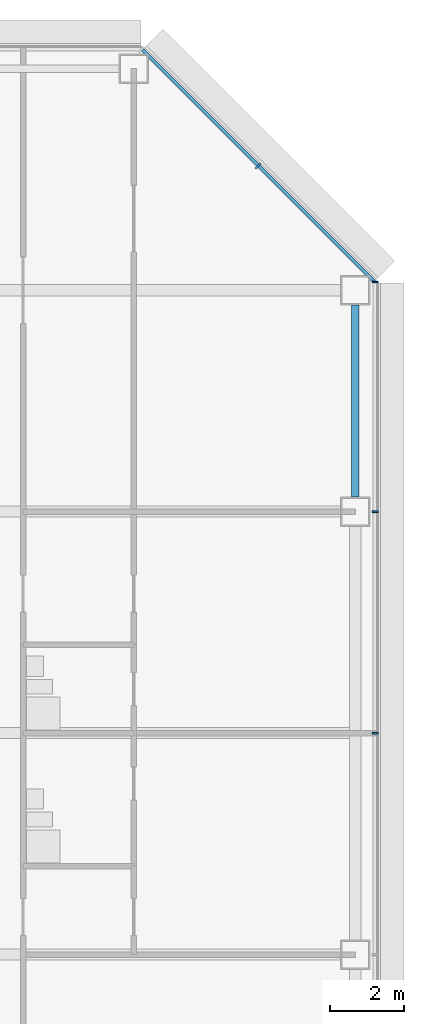
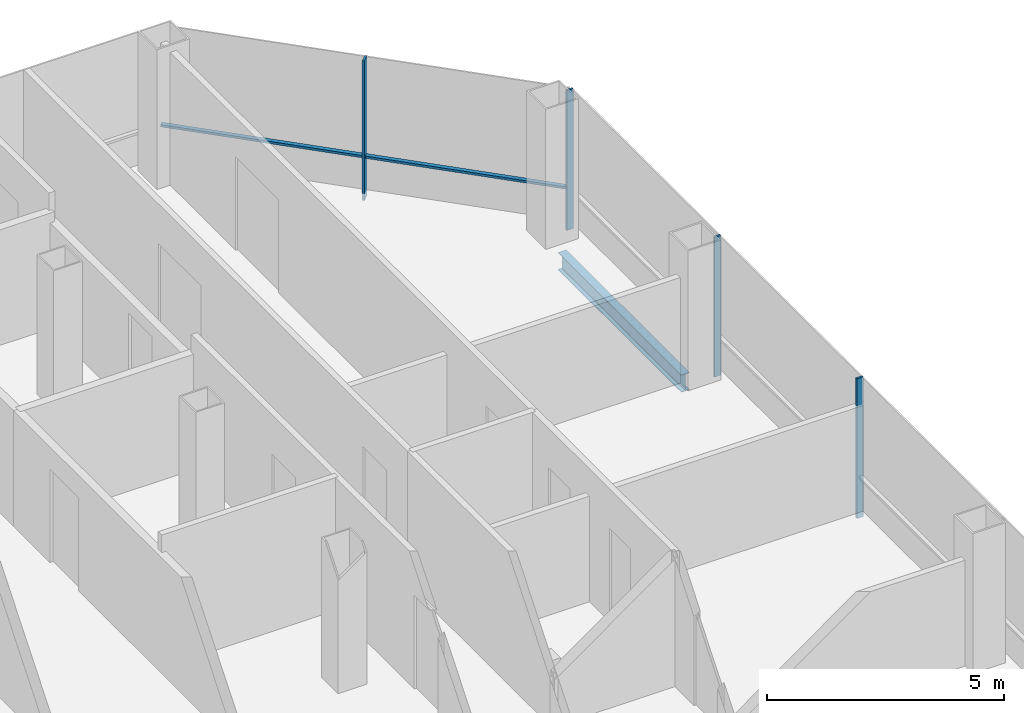
# One storey, part 17 of 25: 5 members, 1 beam, 2 elements without a shape of their own.
"""IFC4 building model written with IfcOpenShell, lengths in metres."""

from ifc_helpers import new_model, si_unit, direction, frame, origin, origin_2d, place, context, subcontext, project, spatial, rectangle, i_section, extrude, material, material_profile, profile_set, type_object, element, aggregate, save


model = new_model("IFC4")

# Units and contexts
model_context = context("Model", 3, precision=1e-05, world=origin(), true_north=direction((0.0, 1.0)))
body_context = subcontext(model_context, "Body", "Model", "MODEL_VIEW")
ifc_project = project(units=[si_unit("LENGTHUNIT", "METRE"), si_unit("AREAUNIT", "SQUARE_METRE"), si_unit("VOLUMEUNIT", "CUBIC_METRE"), si_unit("PLANEANGLEUNIT", "RADIAN"), si_unit("MASSUNIT", "GRAM", prefix="KILO")], contexts=[model_context])

# Site, building, storey
site_placement = place(None, origin())
site = spatial("IfcSite", under=ifc_project, at=site_placement, CompositionType="ELEMENT")
building_placement = place(site_placement, origin())
building = spatial("IfcBuilding", under=site, at=building_placement, Name="Sorahane Residences", CompositionType="ELEMENT")
storey_placement = place(building_placement, frame((0.0, 0.0, 107.0)))
storey = spatial("IfcBuildingStorey", under=building, at=storey_placement, Name="L23", CompositionType="ELEMENT", Elevation=107.0)

# Curtain wall, members
ifc_material_1 = material(Name="Dark low-e glass and black anodised aluminium", Category="aluminium")
curtain_wall_type_1 = type_object("IfcCurtainWallType", Name="Curtain wall CW-1 Typical unitised wall", PredefinedType="NOTDEFINED", material=ifc_material_1)
curtain_wall_1_placement = place(storey_placement, origin())
curtain_wall_1 = element("IfcCurtainWall", 1, at=curtain_wall_1_placement, inside=storey, type_object=curtain_wall_type_1, Name="CW-1 curtain wall L23 E1", PredefinedType="NOTDEFINED")
ifc_material_2 = material(Name="Black anodised aluminium", Category="aluminium")
ifc_material_profile_1 = material_profile(ifc_material_2, rectangle(XDim=0.159912109375, YDim=0.050048828125, at=origin_2d()), Name="Curtain wall mullion CW-1 black anodised aluminium 50x160")
ifc_profile_set_1 = profile_set([ifc_material_profile_1], Name="Black anodised aluminium")
member_type_1 = type_object("IfcMemberType", Name="Curtain wall mullion CW-1 black anodised aluminium 50x160", PredefinedType="MULLION", material=ifc_profile_set_1)
member_1_placement = place(storey_placement, frame((60.5400390625, 30.0, -0.179931640625), z_axis=(0.0, 0.0, 1.0), x_axis=(1.0, 0.0, 0.0)))
member_1 = element("IfcMember", 2, at=member_1_placement, type_object=member_type_1, Name="CW-1 mullion L23 E1.5", PredefinedType="MULLION", context=body_context, shape_type="SweptSolid", body=[
    extrude(rectangle(XDim=0.159912109375, YDim=0.050048828125, at=origin_2d()), origin(), (0.0, 0.0, 1.0), 3.599853515625),
])
member_2_placement = place(storey_placement, frame((60.5400390625, 36.0, -0.179931640625), z_axis=(0.0, 0.0, 1.0), x_axis=(1.0, 0.0, 0.0)))
member_2 = element("IfcMember", 3, at=member_2_placement, type_object=member_type_1, Name="CW-1 mullion L23 E1.6", PredefinedType="MULLION", context=body_context, shape_type="SweptSolid", body=[
    extrude(rectangle(XDim=0.159912109375, YDim=0.050048828125, at=origin_2d()), origin(), (0.0, 0.0, 1.0), 3.599853515625),
])
member_3_placement = place(storey_placement, frame((60.5400390625, 42.2236328125, -0.179931640625), z_axis=(0.0, 0.0, 1.0), x_axis=(1.0, 0.0, 0.0)))
member_3 = element("IfcMember", 4, at=member_3_placement, type_object=member_type_1, Name="CW-1 mullion L23 E1.7", PredefinedType="MULLION", context=body_context, shape_type="SweptSolid", body=[
    extrude(rectangle(XDim=0.159912109375, YDim=0.050048828125, at=origin_2d()), origin(), (0.0, 0.0, 1.0), 3.599853515625),
])
aggregate(curtain_wall_1, [member_1, member_2, member_3])

ifc_material_3 = material(Name="Dark low-e glass and black anodised aluminium", Category="aluminium")
curtain_wall_type_2 = type_object("IfcCurtainWallType", Name="Curtain wall CW-2 Chamfer unitised wall", PredefinedType="NOTDEFINED", material=ifc_material_3)
curtain_wall_2_placement = place(storey_placement, origin())
curtain_wall_2 = element("IfcCurtainWall", 5, at=curtain_wall_2_placement, inside=storey, type_object=curtain_wall_type_2, Name="CW-2 curtain wall L23 NE1", PredefinedType="NOTDEFINED")
ifc_material_4 = material(Name="Black anodised aluminium", Category="aluminium")
ifc_material_profile_2 = material_profile(ifc_material_4, rectangle(XDim=0.199951171875, YDim=0.050048828125, at=origin_2d()), Name="Curtain wall mullion CW-2 black anodised aluminium 50x200")
ifc_profile_set_2 = profile_set([ifc_material_profile_2], Name="Black anodised aluminium")
member_type_2 = type_object("IfcMemberType", Name="Curtain wall mullion CW-2 black anodised aluminium 50x200", PredefinedType="MULLION", material=ifc_profile_set_2)
member_4_placement = place(storey_placement, frame((57.36767578125, 45.36767578125, -0.179931640625), z_axis=(0.0, 0.0, 1.0), x_axis=(0.707106781187, 0.707106781187, 0.0)))
member_4 = element("IfcMember", 6, at=member_4_placement, type_object=member_type_2, Name="CW-2 mullion L23 NE1.2", PredefinedType="MULLION", context=body_context, shape_type="SweptSolid", body=[
    extrude(rectangle(XDim=0.199951171875, YDim=0.050048828125, at=origin_2d()), origin(), (0.0, 0.0, 1.0), 3.599853515625),
])
ifc_material_5 = material(Name="Black anodised aluminium", Category="aluminium")
ifc_material_profile_3 = material_profile(ifc_material_5, rectangle(XDim=0.10009765625, YDim=0.06005859375, at=origin_2d()), Name="Curtain wall transom CW-2 black anodised aluminium 60x100")
ifc_profile_set_3 = profile_set([ifc_material_profile_3], Name="Black anodised aluminium")
member_type_3 = type_object("IfcMemberType", Name="Curtain wall transom CW-2 black anodised aluminium 60x100", PredefinedType="USERDEFINED", material=ifc_profile_set_3)
member_5_placement = place(storey_placement, frame((60.51513671875, 42.234375, 0.89990234375), z_axis=(-0.707106781187, 0.707106781187, 0.0), x_axis=(-0.707106781187, -0.707106781187, 0.0)))
member_5 = element("IfcMember", 7, at=member_5_placement, type_object=member_type_3, Name="CW-2 transom L23 NE1", ObjectType="TRANSOM", PredefinedType="USERDEFINED", context=body_context, shape_type="SweptSolid", body=[
    extrude(rectangle(XDim=0.10009765625, YDim=0.06005859375, at=origin_2d()), origin(), (0.0, 0.0, 1.0), 8.88232421875),
])
aggregate(curtain_wall_2, [member_4, member_5])

# Beam
ifc_material_6 = material(Name="Steel Q355B", Category="steel")
ifc_material_profile_4 = material_profile(ifc_material_6, i_section(OverallWidth=0.199951171875, OverallDepth=0.449951171875, WebThickness=0.009033203125, FlangeThickness=0.013916015625, FilletRadius=0.02001953125, at=origin_2d()), Name="HN 450x200x9x14")
ifc_profile_set_4 = profile_set([ifc_material_profile_4], Name="Steel Q355B")
beam_type = type_object("IfcBeamType", Name="Steel floor beam HN 450x200x9x14 Q355B", PredefinedType="BEAM", material=ifc_profile_set_4)
beam_placement = place(storey_placement, frame((60.0, 36.39990234375, -0.405029296875), z_axis=(0.0, 1.0, 0.0), x_axis=(-1.0, 0.0, 0.0)))
element("IfcBeam", 8, at=beam_placement, inside=storey, type_object=beam_type, Name="Beam L23 067", PredefinedType="BEAM", context=body_context, shape_type="SweptSolid", body=[
    extrude(i_section(OverallWidth=0.199951171875, OverallDepth=0.449951171875, WebThickness=0.009033203125, FlangeThickness=0.013916015625, FilletRadius=0.02001953125, at=origin_2d()), origin(), (0.0, 0.0, 1.0), 5.2001953125),
])

save(model, "model.ifc")
